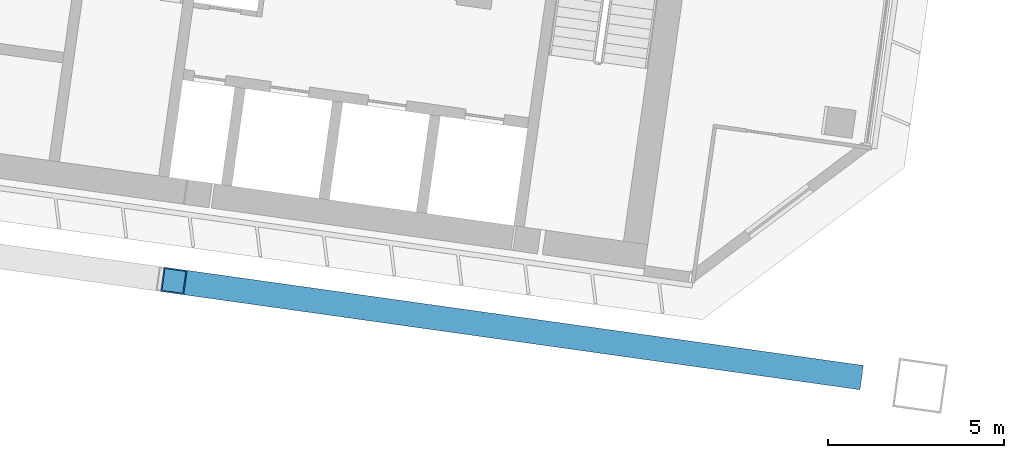
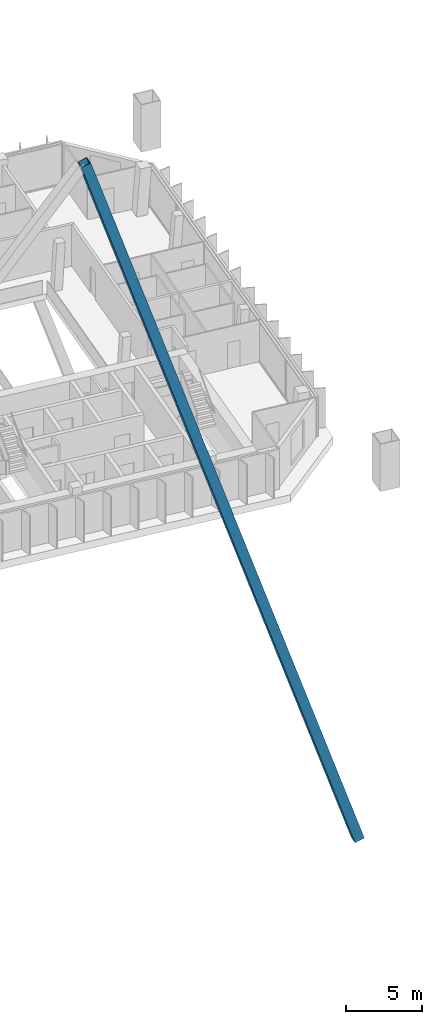
# One storey, part 5 of 38: 1 member.
"""IFC4 building model written with IfcOpenShell, lengths in metres."""

from ifc_helpers import new_model, si_unit, direction, frame, origin, origin_2d, place, context, subcontext, project, spatial, hollow_rectangle, extrude, material, material_profile, profile_set, type_object, element, save


model = new_model("IFC4")

# Units and contexts
model_context = context("Model", 3, precision=1e-05, world=origin(), true_north=direction((0.0, 1.0)))
body_context = subcontext(model_context, "Body", "Model", "MODEL_VIEW")
ifc_project = project(units=[si_unit("LENGTHUNIT", "METRE"), si_unit("AREAUNIT", "SQUARE_METRE"), si_unit("VOLUMEUNIT", "CUBIC_METRE"), si_unit("PLANEANGLEUNIT", "RADIAN"), si_unit("MASSUNIT", "GRAM", prefix="KILO")], contexts=[model_context])

# Site, building, storey
site_placement = place(None, origin())
site = spatial("IfcSite", under=ifc_project, at=site_placement, CompositionType="ELEMENT")
building_placement = place(site_placement, origin())
building = spatial("IfcBuilding", under=site, at=building_placement, Name="Mirante Cascada Hotel Towers", CompositionType="ELEMENT")
storey_placement = place(building_placement, frame((0.0, 0.0, 184.0)))
storey = spatial("IfcBuildingStorey", under=building, at=storey_placement, Name="L43", CompositionType="ELEMENT", Elevation=184.0)

# Member
ifc_material = material(Name="Steel ASTM A572 Gr 50", Category="steel")
ifc_material_profile = material_profile(ifc_material, hollow_rectangle(XDim=0.7, YDim=0.7, WallThickness=0.035, at=origin_2d()), Name="Box brace 700x700x35 ASTM A572 Gr 50")
ifc_profile_set = profile_set([ifc_material_profile], Name="Steel ASTM A572 Gr 50")
member_type = type_object("IfcMemberType", Name="Box brace 700x700x35 ASTM A572 Gr 50", PredefinedType="BRACE", material=ifc_profile_set)
member_placement = place(storey_placement, frame((-31.419, -23.0069, -27.8934), z_axis=(-0.3080817, 0.0432978, 0.9503741), x_axis=(-0.1391722, -0.9902682, 0.0)))
element("IfcMember", 1, at=member_placement, inside=storey, type_object=member_type, Name="brace T1 L43 3", PredefinedType="BRACE", context=body_context, shape_type="SweptSolid", body=[
    extrude(hollow_rectangle(XDim=0.7, YDim=0.7, WallThickness=0.035, at=origin_2d()), origin(), (0.0, 0.0, 1.0), 62.4328),
])

save(model, "model.ifc")
